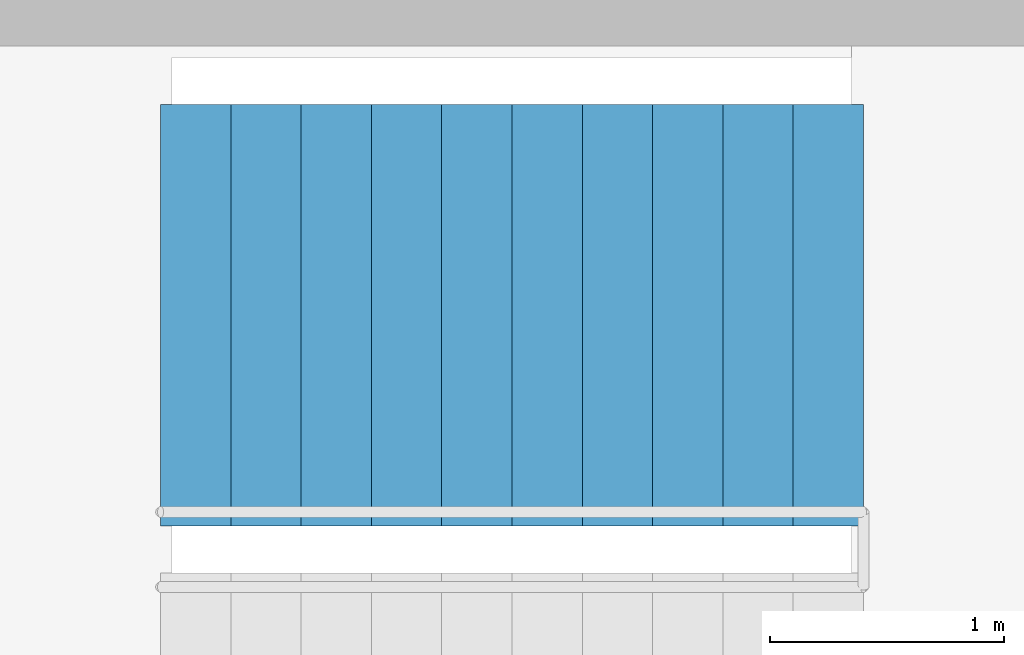
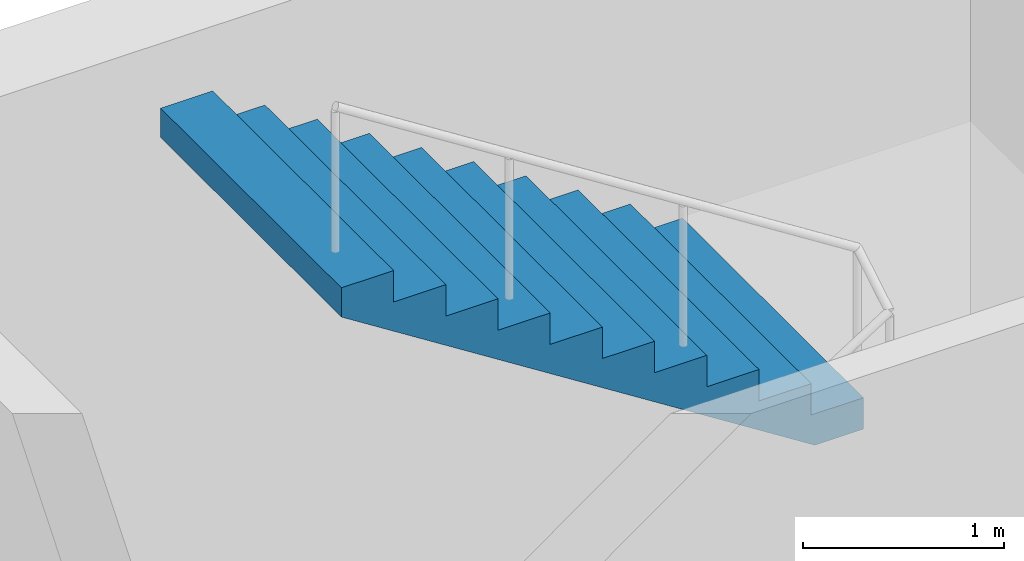
# One storey, part 13 of 16: 1 stair flight, 1 element without a shape of its own.
"""IFC4 building model written with IfcOpenShell, lengths in metres."""

from ifc_helpers import new_model, si_unit, direction, frame, origin, place, context, subcontext, project, spatial, polyline, outline, extrude, material, type_object, element, aggregate, save


model = new_model("IFC4")

# Units and contexts
model_context = context("Model", 3, precision=1e-05, world=origin(), true_north=direction((0.0, 1.0)))
body_context = subcontext(model_context, "Body", "Model", "MODEL_VIEW")
ifc_project = project(units=[si_unit("LENGTHUNIT", "METRE"), si_unit("AREAUNIT", "SQUARE_METRE"), si_unit("VOLUMEUNIT", "CUBIC_METRE"), si_unit("PLANEANGLEUNIT", "RADIAN"), si_unit("MASSUNIT", "GRAM", prefix="KILO")], contexts=[model_context])

# Site, building, storey
site_placement = place(None, origin())
site = spatial("IfcSite", under=ifc_project, at=site_placement, CompositionType="ELEMENT")
building_placement = place(site_placement, origin())
building = spatial("IfcBuilding", under=site, at=building_placement, Name="Crosswind Convention Tower", CompositionType="ELEMENT")
storey_placement = place(building_placement, frame((0.0, 0.0, 282.89990234375)))
storey = spatial("IfcBuildingStorey", under=building, at=storey_placement, Name="L61", CompositionType="ELEMENT", Elevation=282.89990234375)

# Stair, stair flight
ifc_material = material(Name="Concrete C40/50", Category="concrete")
stair_type = type_object("IfcStairType", Name="Exit stair 1800 wide, 2 flights of 11 risers", PredefinedType="HALF_TURN_STAIR", material=ifc_material)
stair_placement = place(storey_placement, origin())
stair = element("IfcStair", 1, at=stair_placement, inside=storey, type_object=stair_type, Name="Exit stair ST1 L61", ObjectType="ST5", PredefinedType="HALF_TURN_STAIR")
stair_flight_type = type_object("IfcStairFlightType", Name="Stair flight 1800 wide, 11 risers (SF4)", PredefinedType="STRAIGHT", material=ifc_material)
stair_flight_placement = place(storey_placement, frame((142.10009765625, 110.60009765625, 2.10009765625), z_axis=(0.0, 0.0, 1.0), x_axis=(-1.0, 0.0, 0.0)))
stair_flight = element("IfcStairFlight", 2, at=stair_flight_placement, type_object=stair_flight_type, Name="ST1 flight 2", NumberOfRisers=11, NumberOfTreads=10, PredefinedType="STRAIGHT", RiserHeight=0.190909091, TreadLength=0.3, context=body_context, shape_type="SweptSolid", body=[
    extrude(outline(polyline([(0.0, 0.0), (0.0, 0.19091796875), (0.300048828125, 0.19091796875), (0.300048828125, 0.3818359375), (0.60009765625, 0.3818359375), (0.60009765625, 0.57275390625), (0.89990234375, 0.57275390625), (0.89990234375, 0.763671875), (1.199951171875, 0.763671875), (1.199951171875, 0.95458984375), (1.5, 0.95458984375), (1.5, 1.1455078125), (1.800048828125, 1.1455078125), (1.800048828125, 1.33642578125), (2.10009765625, 1.33642578125), (2.10009765625, 1.52734375), (2.39990234375, 1.52734375), (2.39990234375, 1.71826171875), (2.699951171875, 1.71826171875), (2.699951171875, 1.9091796875), (3.0, 1.9091796875), (3.0, 2.10009765625), (3.0, 1.7314453125), (0.279296875, 0.0), (0.0, 0.0)])), frame((0.0, 0.89990234375, 0.0), z_axis=(0.0, -1.0, 0.0), x_axis=(1.0, 0.0, 0.0)), (0.0, 0.0, 1.0), 1.800048828125),
])
aggregate(stair, [stair_flight])

save(model, "model.ifc")
